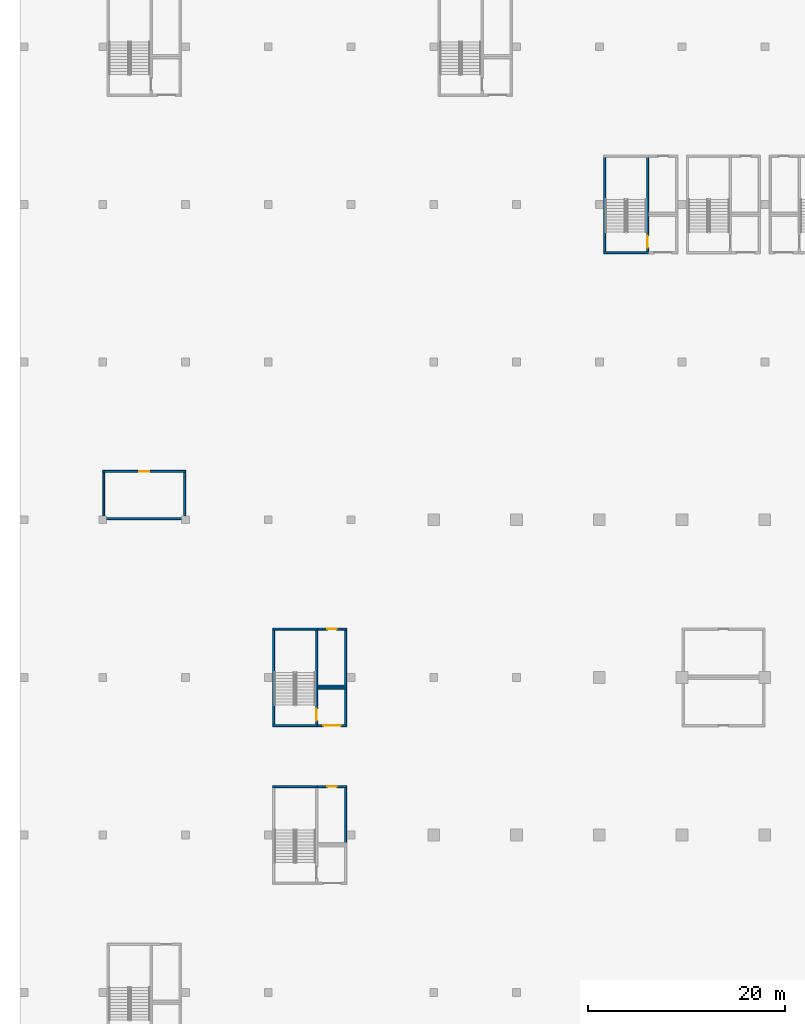
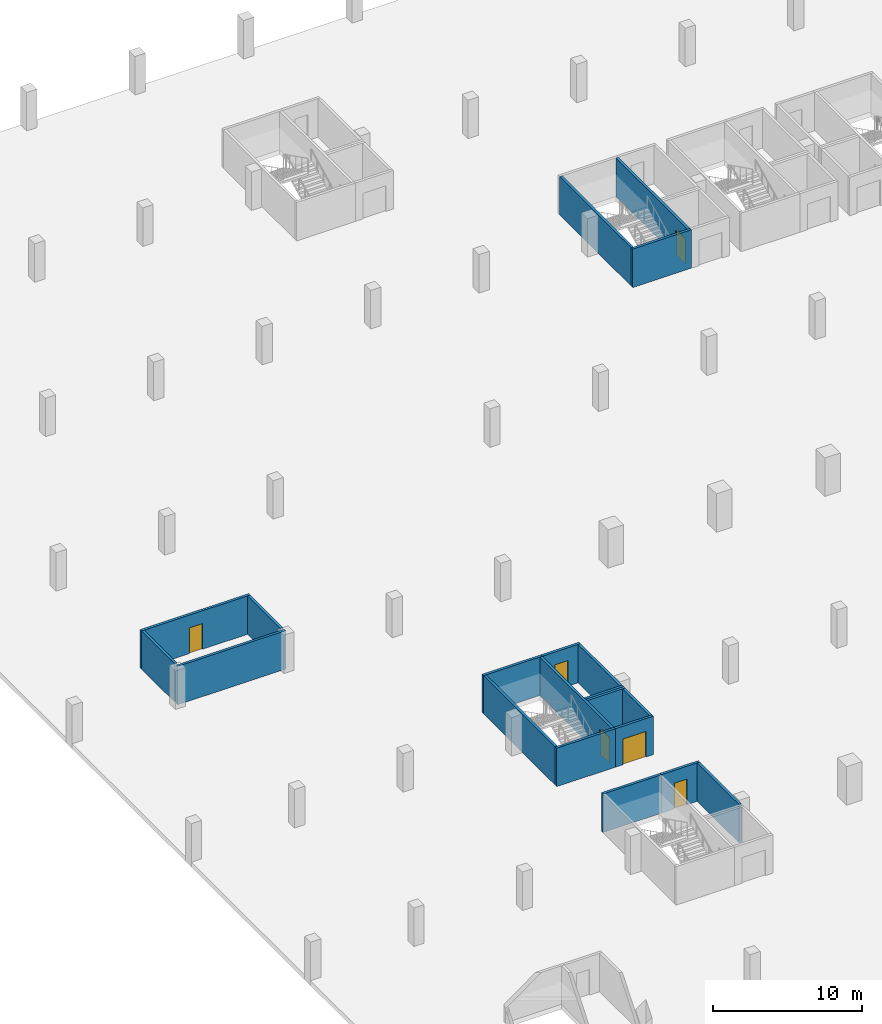
# One storey, part 8 of 37: 20 walls, 6 doors, 6 openings.
"""IFC4 building model written with IfcOpenShell, lengths in metres."""

from ifc_helpers import new_model, si_unit, direction, frame, frame_2d, origin, place, context, subcontext, project, spatial, rectangle, extrude, material, layer, layer_set, type_object, element, fill, save


model = new_model("IFC4")

# Units and contexts
model_context = context("Model", 3, precision=1e-05, world=origin(), true_north=direction((0.0, 1.0)))
body_context = subcontext(model_context, "Body", "Model", "MODEL_VIEW")
ifc_project = project(units=[si_unit("LENGTHUNIT", "METRE"), si_unit("AREAUNIT", "SQUARE_METRE"), si_unit("VOLUMEUNIT", "CUBIC_METRE"), si_unit("PLANEANGLEUNIT", "RADIAN"), si_unit("MASSUNIT", "GRAM", prefix="KILO")], contexts=[model_context])

# Site, building, storey
site_placement = place(None, origin())
site = spatial("IfcSite", under=ifc_project, at=site_placement, CompositionType="ELEMENT")
building_placement = place(site_placement, origin())
building = spatial("IfcBuilding", under=site, at=building_placement, Name="Tamra Quay Hotel Tower", CompositionType="ELEMENT")
storey_placement = place(building_placement, frame((0.0, 0.0, -3.60009765625)))
storey = spatial("IfcBuildingStorey", under=building, at=storey_placement, Name="B1", CompositionType="ELEMENT", Elevation=-3.60009765625)

# Wall
ifc_material_1 = material(Name="Blockwork", Category="masonry")
ifc_layer_1 = layer(ifc_material_1, 0.199951171875)
ifc_layer_set_1 = layer_set([ifc_layer_1], Name="Car park room wall 200")
wall_type_1 = type_object("IfcWallType", Name="Car park room wall 200", PredefinedType="PARTITIONING", material=ifc_layer_set_1)
wall_1_placement = place(storey_placement, frame((-114.300048828125, 16.10009765625, 0.0), z_axis=(0.0, 0.0, 1.0), x_axis=(1.0, 0.0, 0.0)))
element("IfcWall", 1, at=wall_1_placement, inside=storey, type_object=wall_type_1, Name="PW", PredefinedType="PARTITIONING", context=body_context, shape_type="SweptSolid", body=[
    extrude(rectangle(XDim=8.400146484375, YDim=0.199951171875, at=frame_2d((4.2001953125, 0.0))), origin(), (0.0, 0.0, 1.0), 3.150146484375),
])

# Wall, opening, door
wall_2_placement = place(storey_placement, frame((-114.300048828125, 20.89990234375, 0.0), z_axis=(0.0, 0.0, 1.0), x_axis=(1.0, 0.0, 0.0)))
wall_2 = element("IfcWall", 2, at=wall_2_placement, inside=storey, type_object=wall_type_1, Name="PW", PredefinedType="PARTITIONING", context=body_context, shape_type="SweptSolid", body=[
    extrude(rectangle(XDim=8.400146484375, YDim=0.199951171875, at=frame_2d((4.2001953125, 0.0))), origin(), (0.0, 0.0, 1.0), 3.150146484375),
])
opening_1_placement = place(wall_2_placement, frame((3.699951171875, 0.0, 0.0)))
opening_1 = element("IfcOpeningElement", 3, at=opening_1_placement, cuts=wall_2, Name="Opening PD1", PredefinedType="OPENING", context=body_context, shape_type="SweptSolid", body=[
    extrude(rectangle(XDim=1.0, YDim=2.10009765625, at=frame_2d((0.5, 1.050048828125))), frame((0.0, 0.10986328125, 0.0), z_axis=(0.0, -1.0, 0.0), x_axis=(1.0, 0.0, 0.0)), (0.0, 0.0, 1.0), 0.219970703125),
])
ifc_material_2 = material(Name="Car park door 1000 x 2100")
door_type_1 = type_object("IfcDoorType", Name="Car park door 1000 x 2100", OperationType="NOTDEFINED", PredefinedType="DOOR", material=ifc_material_2)
door_1_placement = place(opening_1_placement, origin())
door_1 = element("IfcDoor", 4, at=door_1_placement, inside=storey, type_object=door_type_1, Name="PD1", OperationType="SINGLE_SWING_LEFT", OverallHeight=2.10009765625, OverallWidth=1.0, PredefinedType="DOOR", context=body_context, shape_type="SweptSolid", body=[
    extrude(rectangle(XDim=1.0, YDim=2.10009765625, at=frame_2d((0.5, 1.050048828125))), frame((0.0, 0.02490234375, 0.0), z_axis=(0.0, -1.0, 0.0), x_axis=(1.0, 0.0, 0.0)), (0.0, 0.0, 1.0), 0.050048828125),
])
fill(opening_1, door_1)

# Walls
for number, where, z_axis, x_axis, name in (
    (5, (-114.199951171875, 16.39990234375, 0.0), (0.0, 0.0, 1.0), (0.0, 1.0, 0.0), "PW"),
    (6, (-106.0, 16.39990234375, 0.0), (0.0, 0.0, 1.0), (0.0, 1.0, 0.0), "PW"),
):
    element("IfcWall", number, at=place(storey_placement, frame(where, z_axis=z_axis, x_axis=x_axis)), inside=storey, type_object=wall_type_1, Name=name, PredefinedType="PARTITIONING", context=body_context, shape_type="SweptSolid", body=[
        extrude(rectangle(XDim=4.400146484375, YDim=0.199951171875, at=frame_2d((2.2001953125, 0.0))), origin(), (0.0, 0.0, 1.0), 3.150146484375),
    ])

# Wall, opening, door
wall_3_placement = place(storey_placement, frame((-92.5, -11.10009765625, 0.0), z_axis=(0.0, 0.0, 1.0), x_axis=(1.0, 0.0, 0.0)))
wall_3 = element("IfcWall", 7, at=wall_3_placement, inside=storey, type_object=wall_type_1, Name="PW", PredefinedType="PARTITIONING", context=body_context, shape_type="SweptSolid", body=[
    extrude(rectangle(XDim=2.949951171875, YDim=0.199951171875, at=frame_2d((1.47509765625, 0.0))), origin(), (0.0, 0.0, 1.0), 3.150146484375),
])
opening_2_placement = place(wall_3_placement, frame((0.97509765625, 0.0, 0.0)))
opening_2 = element("IfcOpeningElement", 8, at=opening_2_placement, cuts=wall_3, Name="Opening PD1", PredefinedType="OPENING", context=body_context, shape_type="SweptSolid", body=[
    extrude(rectangle(XDim=1.0, YDim=2.10009765625, at=frame_2d((0.5, 1.050048828125))), frame((0.0, 0.10986328125, 0.0), z_axis=(0.0, -1.0, 0.0), x_axis=(1.0, 0.0, 0.0)), (0.0, 0.0, 1.0), 0.219970703125),
])
door_2_placement = place(opening_2_placement, origin())
door_2 = element("IfcDoor", 9, at=door_2_placement, inside=storey, type_object=door_type_1, Name="PD1", OperationType="SINGLE_SWING_LEFT", OverallHeight=2.10009765625, OverallWidth=1.0, PredefinedType="DOOR", context=body_context, shape_type="SweptSolid", body=[
    extrude(rectangle(XDim=1.0, YDim=2.10009765625, at=frame_2d((0.5, 1.050048828125))), frame((0.0, 0.02490234375, 0.0), z_axis=(0.0, -1.0, 0.0), x_axis=(1.0, 0.0, 0.0)), (0.0, 0.0, 1.0), 0.050048828125),
])
fill(opening_2, door_2)

# Wall
wall_4_placement = place(storey_placement, frame((-89.64990234375, -16.800048828125, 0.0), z_axis=(0.0, 0.0, 1.0), x_axis=(0.0, 1.0, 0.0)))
element("IfcWall", 10, at=wall_4_placement, inside=storey, type_object=wall_type_1, Name="PW", PredefinedType="PARTITIONING", context=body_context, shape_type="SweptSolid", body=[
    extrude(rectangle(XDim=5.60009765625, YDim=0.199951171875, at=frame_2d((2.800048828125, 0.0))), origin(), (0.0, 0.0, 1.0), 3.150146484375),
])

# Wall, opening, door
wall_5_placement = place(storey_placement, frame((-92.5, -4.89990234375, 0.0), z_axis=(0.0, 0.0, 1.0), x_axis=(1.0, 0.0, 0.0)))
wall_5 = element("IfcWall", 11, at=wall_5_placement, inside=storey, type_object=wall_type_1, Name="PW", PredefinedType="PARTITIONING", context=body_context, shape_type="SweptSolid", body=[
    extrude(rectangle(XDim=2.949951171875, YDim=0.199951171875, at=frame_2d((1.47509765625, 0.0))), origin(), (0.0, 0.0, 1.0), 3.150146484375),
])
opening_3_placement = place(wall_5_placement, frame((0.574951171875, 0.0, 0.0)))
opening_3 = element("IfcOpeningElement", 12, at=opening_3_placement, cuts=wall_5, Name="Opening PD2", PredefinedType="OPENING", context=body_context, shape_type="SweptSolid", body=[
    extrude(rectangle(XDim=1.800048828125, YDim=2.10009765625, at=frame_2d((0.89990234375, 1.050048828125))), frame((0.0, 0.10986328125, 0.0), z_axis=(0.0, -1.0, 0.0), x_axis=(1.0, 0.0, 0.0)), (0.0, 0.0, 1.0), 0.219970703125),
])
ifc_material_3 = material(Name="Plant door 1800 x 2100")
door_type_2 = type_object("IfcDoorType", Name="Plant door 1800 x 2100", OperationType="DOUBLE_DOOR_SINGLE_SWING", PredefinedType="DOOR", material=ifc_material_3)
door_3_placement = place(opening_3_placement, origin())
door_3 = element("IfcDoor", 13, at=door_3_placement, inside=storey, type_object=door_type_2, Name="PD2", OperationType="DOUBLE_DOOR_SINGLE_SWING", OverallHeight=2.10009765625, OverallWidth=1.800048828125, PredefinedType="DOOR", context=body_context, shape_type="SweptSolid", body=[
    extrude(rectangle(XDim=1.800048828125, YDim=2.10009765625, at=frame_2d((0.89990234375, 1.050048828125))), frame((0.0, 0.02490234375, 0.0), z_axis=(0.0, -1.0, 0.0), x_axis=(1.0, 0.0, 0.0)), (0.0, 0.0, 1.0), 0.050048828125),
])
fill(opening_3, door_3)

# Walls
wall_6_placement = place(storey_placement, frame((-92.5, -1.10009765625, 0.0), z_axis=(0.0, 0.0, 1.0), x_axis=(1.0, 0.0, 0.0)))
element("IfcWall", 14, at=wall_6_placement, inside=storey, type_object=wall_type_1, Name="PW", PredefinedType="PARTITIONING", context=body_context, shape_type="SweptSolid", body=[
    extrude(rectangle(XDim=2.949951171875, YDim=0.199951171875, at=frame_2d((1.47509765625, 0.0))), origin(), (0.0, 0.0, 1.0), 3.150146484375),
])
wall_7_placement = place(storey_placement, frame((-89.64990234375, -4.800048828125, 0.0), z_axis=(0.0, 0.0, 1.0), x_axis=(0.0, 1.0, 0.0)))
element("IfcWall", 15, at=wall_7_placement, inside=storey, type_object=wall_type_1, Name="PW", PredefinedType="PARTITIONING", context=body_context, shape_type="SweptSolid", body=[
    extrude(rectangle(XDim=3.60009765625, YDim=0.199951171875, at=frame_2d((1.800048828125, 0.0))), origin(), (0.0, 0.0, 1.0), 3.150146484375),
])
wall_8_placement = place(storey_placement, frame((-92.5, -0.89990234375, 0.0), z_axis=(0.0, 0.0, 1.0), x_axis=(1.0, 0.0, 0.0)))
element("IfcWall", 16, at=wall_8_placement, inside=storey, type_object=wall_type_1, Name="PW", PredefinedType="PARTITIONING", context=body_context, shape_type="SweptSolid", body=[
    extrude(rectangle(XDim=2.949951171875, YDim=0.199951171875, at=frame_2d((1.47509765625, 0.0))), origin(), (0.0, 0.0, 1.0), 3.150146484375),
])

# Wall, opening, door
wall_9_placement = place(storey_placement, frame((-92.5, 4.89990234375, 0.0), z_axis=(0.0, 0.0, 1.0), x_axis=(1.0, 0.0, 0.0)))
wall_9 = element("IfcWall", 17, at=wall_9_placement, inside=storey, type_object=wall_type_1, Name="PW", PredefinedType="PARTITIONING", context=body_context, shape_type="SweptSolid", body=[
    extrude(rectangle(XDim=2.949951171875, YDim=0.199951171875, at=frame_2d((1.47509765625, 0.0))), origin(), (0.0, 0.0, 1.0), 3.150146484375),
])
opening_4_placement = place(wall_9_placement, frame((0.97509765625, 0.0, 0.0)))
opening_4 = element("IfcOpeningElement", 18, at=opening_4_placement, cuts=wall_9, Name="Opening PD1", PredefinedType="OPENING", context=body_context, shape_type="SweptSolid", body=[
    extrude(rectangle(XDim=1.0, YDim=2.10009765625, at=frame_2d((0.5, 1.050048828125))), frame((0.0, 0.10986328125, 0.0), z_axis=(0.0, -1.0, 0.0), x_axis=(1.0, 0.0, 0.0)), (0.0, 0.0, 1.0), 0.219970703125),
])
door_4_placement = place(opening_4_placement, origin())
door_4 = element("IfcDoor", 19, at=door_4_placement, inside=storey, type_object=door_type_1, Name="PD1", OperationType="SINGLE_SWING_LEFT", OverallHeight=2.10009765625, OverallWidth=1.0, PredefinedType="DOOR", context=body_context, shape_type="SweptSolid", body=[
    extrude(rectangle(XDim=1.0, YDim=2.10009765625, at=frame_2d((0.5, 1.050048828125))), frame((0.0, 0.02490234375, 0.0), z_axis=(0.0, -1.0, 0.0), x_axis=(1.0, 0.0, 0.0)), (0.0, 0.0, 1.0), 0.050048828125),
])
fill(opening_4, door_4)

# Walls
wall_10_placement = place(storey_placement, frame((-89.64990234375, -0.800048828125, 0.0), z_axis=(0.0, 0.0, 1.0), x_axis=(0.0, 1.0, 0.0)))
element("IfcWall", 20, at=wall_10_placement, inside=storey, type_object=wall_type_1, Name="PW", PredefinedType="PARTITIONING", context=body_context, shape_type="SweptSolid", body=[
    extrude(rectangle(XDim=5.60009765625, YDim=0.199951171875, at=frame_2d((2.800048828125, 0.0))), origin(), (0.0, 0.0, 1.0), 3.150146484375),
])
ifc_material_4 = material(Name="Concrete M70", Category="concrete")
ifc_layer_2 = layer(ifc_material_4, 0.199951171875)
ifc_layer_set_2 = layer_set([ifc_layer_2], Name="Concrete M70 stair enclosure wall 200")
wall_type_2 = type_object("IfcWallType", Name="Concrete M70 stair enclosure wall 200", PredefinedType="SOLIDWALL", material=ifc_layer_set_2)
wall_11_placement = place(storey_placement, frame((-97.050048828125, -11.10009765625, 0.0), z_axis=(0.0, 0.0, 1.0), x_axis=(1.0, 0.0, 0.0)))
element("IfcWall", 21, at=wall_11_placement, inside=storey, type_object=wall_type_2, Name="SEW", PredefinedType="SOLIDWALL", context=body_context, shape_type="SweptSolid", body=[
    extrude(rectangle(XDim=4.550048828125, YDim=0.199951171875, at=frame_2d((2.27490234375, 0.0))), origin(), (0.0, 0.0, 1.0), 3.150146484375),
])
wall_12_placement = place(storey_placement, frame((-96.949951171875, -4.800048828125, 0.0), z_axis=(0.0, 0.0, 1.0), x_axis=(0.0, 1.0, 0.0)))
element("IfcWall", 22, at=wall_12_placement, inside=storey, type_object=wall_type_2, Name="SEW", PredefinedType="SOLIDWALL", context=body_context, shape_type="SweptSolid", body=[
    extrude(rectangle(XDim=9.60009765625, YDim=0.199951171875, at=frame_2d((4.800048828125, 0.0))), origin(), (0.0, 0.0, 1.0), 3.150146484375),
])

# Wall, opening, door
wall_13_placement = place(storey_placement, frame((-92.60009765625, -4.800048828125, 0.0), z_axis=(0.0, 0.0, 1.0), x_axis=(0.0, 1.0, 0.0)))
wall_13 = element("IfcWall", 23, at=wall_13_placement, inside=storey, type_object=wall_type_2, Name="SEW", PredefinedType="SOLIDWALL", context=body_context, shape_type="SweptSolid", body=[
    extrude(rectangle(XDim=9.60009765625, YDim=0.199951171875, at=frame_2d((4.800048828125, 0.0))), origin(), (0.0, 0.0, 1.0), 3.150146484375),
])
opening_5_placement = place(wall_13_placement, frame((0.39990234375, 0.0, 0.0)))
opening_5 = element("IfcOpeningElement", 24, at=opening_5_placement, cuts=wall_13, Name="Opening SD1", PredefinedType="OPENING", context=body_context, shape_type="SweptSolid", body=[
    extrude(rectangle(XDim=1.199951171875, YDim=2.10009765625, at=frame_2d((0.60009765625, 1.050048828125))), frame((0.0, 0.10986328125, 0.0), z_axis=(0.0, -1.0, 0.0), x_axis=(1.0, 0.0, 0.0)), (0.0, 0.0, 1.0), 0.219970703125),
])
ifc_material_5 = material(Name="Stair door 1200 x 2100")
door_type_3 = type_object("IfcDoorType", Name="Stair door 1200 x 2100", OperationType="NOTDEFINED", PredefinedType="DOOR", material=ifc_material_5)
door_5_placement = place(opening_5_placement, origin())
door_5 = element("IfcDoor", 25, at=door_5_placement, inside=storey, type_object=door_type_3, Name="SD1", OperationType="SINGLE_SWING_LEFT", OverallHeight=2.10009765625, OverallWidth=1.199951171875, PredefinedType="DOOR", context=body_context, shape_type="SweptSolid", body=[
    extrude(rectangle(XDim=1.199951171875, YDim=2.10009765625, at=frame_2d((0.60009765625, 1.050048828125))), frame((0.0, 0.02490234375, 0.0), z_axis=(0.0, -1.0, 0.0), x_axis=(1.0, 0.0, 0.0)), (0.0, 0.0, 1.0), 0.050048828125),
])
fill(opening_5, door_5)

# Walls
for number, where, z_axis, x_axis, name in (
    (26, (-92.5, -4.89990234375, 0.0), (0.0, 0.0, 1.0), (-1.0, 0.0, 0.0), "SEW"),
    (27, (-97.050048828125, 4.89990234375, 0.0), (0.0, 0.0, 1.0), (1.0, 0.0, 0.0), "SEW"),
):
    element("IfcWall", number, at=place(storey_placement, frame(where, z_axis=z_axis, x_axis=x_axis)), inside=storey, type_object=wall_type_2, Name=name, PredefinedType="SOLIDWALL", context=body_context, shape_type="SweptSolid", body=[
        extrude(rectangle(XDim=4.550048828125, YDim=0.199951171875, at=frame_2d((2.27490234375, 0.0))), origin(), (0.0, 0.0, 1.0), 3.150146484375),
    ])
wall_14_placement = place(storey_placement, frame((-63.35009765625, 43.199951171875, 0.0), z_axis=(0.0, 0.0, 1.0), x_axis=(0.0, 1.0, 0.0)))
element("IfcWall", 28, at=wall_14_placement, inside=storey, type_object=wall_type_2, Name="SEW", PredefinedType="SOLIDWALL", context=body_context, shape_type="SweptSolid", body=[
    extrude(rectangle(XDim=9.60009765625, YDim=0.199951171875, at=frame_2d((4.800048828125, 0.0))), origin(), (0.0, 0.0, 1.0), 3.150146484375),
])

# Wall, opening, door
wall_15_placement = place(storey_placement, frame((-59.0, 43.199951171875, 0.0), z_axis=(0.0, 0.0, 1.0), x_axis=(0.0, 1.0, 0.0)))
wall_15 = element("IfcWall", 29, at=wall_15_placement, inside=storey, type_object=wall_type_2, Name="SEW", PredefinedType="SOLIDWALL", context=body_context, shape_type="SweptSolid", body=[
    extrude(rectangle(XDim=9.60009765625, YDim=0.199951171875, at=frame_2d((4.800048828125, 0.0))), origin(), (0.0, 0.0, 1.0), 3.150146484375),
])
opening_6_placement = place(wall_15_placement, frame((0.39990234375, 0.0, 0.0)))
opening_6 = element("IfcOpeningElement", 30, at=opening_6_placement, cuts=wall_15, Name="Opening SD1", PredefinedType="OPENING", context=body_context, shape_type="SweptSolid", body=[
    extrude(rectangle(XDim=1.199951171875, YDim=2.10009765625, at=frame_2d((0.60009765625, 1.050048828125))), frame((0.0, 0.10986328125, 0.0), z_axis=(0.0, -1.0, 0.0), x_axis=(1.0, 0.0, 0.0)), (0.0, 0.0, 1.0), 0.219970703125),
])
door_6_placement = place(opening_6_placement, origin())
door_6 = element("IfcDoor", 31, at=door_6_placement, inside=storey, type_object=door_type_3, Name="SD1", OperationType="SINGLE_SWING_LEFT", OverallHeight=2.10009765625, OverallWidth=1.199951171875, PredefinedType="DOOR", context=body_context, shape_type="SweptSolid", body=[
    extrude(rectangle(XDim=1.199951171875, YDim=2.10009765625, at=frame_2d((0.60009765625, 1.050048828125))), frame((0.0, 0.02490234375, 0.0), z_axis=(0.0, -1.0, 0.0), x_axis=(1.0, 0.0, 0.0)), (0.0, 0.0, 1.0), 0.050048828125),
])
fill(opening_6, door_6)

# Wall
wall_16_placement = place(storey_placement, frame((-58.89990234375, 43.10009765625, 0.0), z_axis=(0.0, 0.0, 1.0), x_axis=(-1.0, 0.0, 0.0)))
element("IfcWall", 32, at=wall_16_placement, inside=storey, type_object=wall_type_2, Name="SEW", PredefinedType="SOLIDWALL", context=body_context, shape_type="SweptSolid", body=[
    extrude(rectangle(XDim=4.550048828125, YDim=0.199951171875, at=frame_2d((2.27490234375, 0.0))), origin(), (0.0, 0.0, 1.0), 3.150146484375),
])

save(model, "model.ifc")
